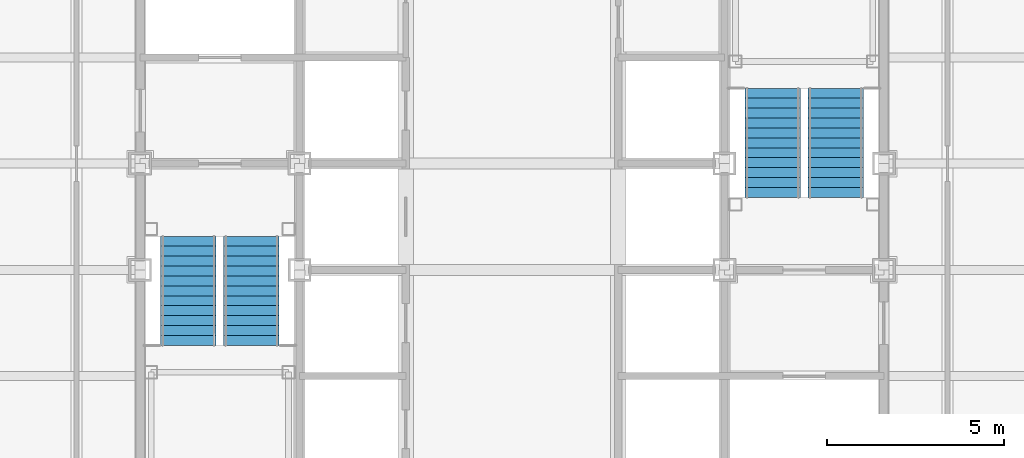
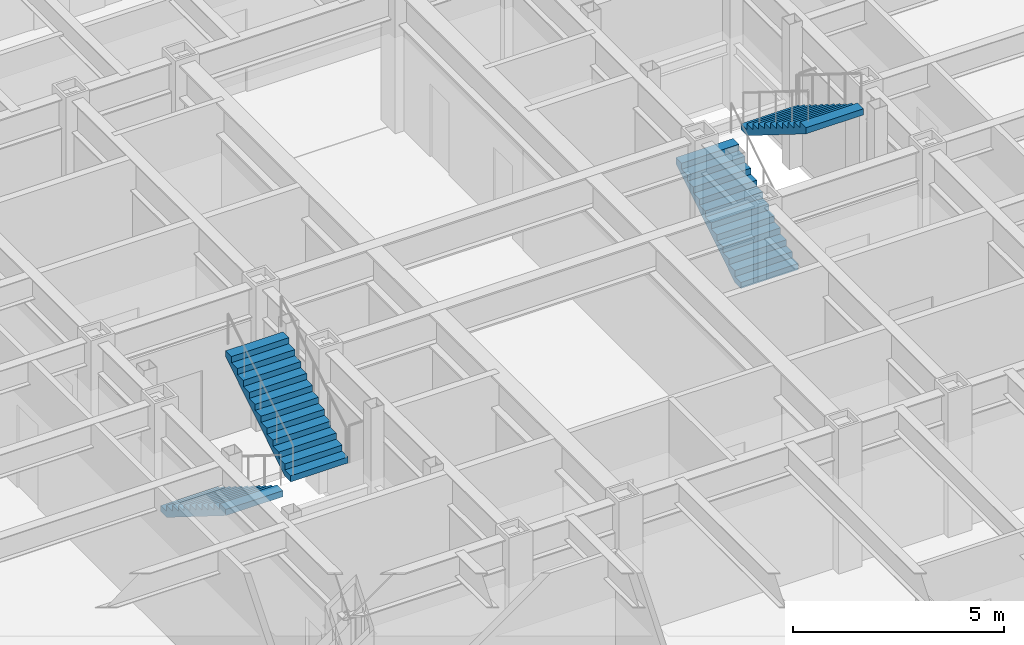
# One storey, part 13 of 17: 4 stair flights, 2 elements without a shape of their own.
"""IFC4 building model written with IfcOpenShell, lengths in metres."""

from ifc_helpers import new_model, si_unit, direction, frame, origin, place, context, subcontext, project, spatial, faceted_brep, material, type_object, element, aggregate, save


model = new_model("IFC4")

# Units and contexts
model_context = context("Model", 3, precision=1e-05, world=origin(), true_north=direction((0.0, 1.0)))
body_context = subcontext(model_context, "Body", "Model", "MODEL_VIEW")
ifc_project = project(units=[si_unit("LENGTHUNIT", "METRE"), si_unit("AREAUNIT", "SQUARE_METRE"), si_unit("VOLUMEUNIT", "CUBIC_METRE"), si_unit("PLANEANGLEUNIT", "RADIAN"), si_unit("MASSUNIT", "GRAM", prefix="KILO")], contexts=[model_context])

# Site, building, storey
site_placement = place(None, origin())
site = spatial("IfcSite", under=ifc_project, at=site_placement, CompositionType="ELEMENT")
building_placement = place(site_placement, origin())
building = spatial("IfcBuilding", under=site, at=building_placement, Name="Chuquiago Exchange Tower", CompositionType="ELEMENT")
storey_placement = place(building_placement, frame((0.0, 0.0, 165.60009765625)))
storey = spatial("IfcBuildingStorey", under=building, at=storey_placement, Name="L36", CompositionType="ELEMENT", Elevation=165.60009765625)

# Stair, stair flights
ifc_material_1 = material(Name="Concrete C30/37, precast", Category="concrete")
stair_type_1 = type_object("IfcStairType", Name="ST1 half-turn stair 4200", PredefinedType="HALF_TURN_STAIR", material=ifc_material_1)
stair_1_placement = place(storey_placement, origin())
stair_1 = element("IfcStair", 1, at=stair_1_placement, inside=storey, type_object=stair_type_1, Name="Stair ST1 L36", PredefinedType="HALF_TURN_STAIR")
ifc_material_2 = material(Name="Concrete C30/37, precast", Category="concrete")
stair_flight_type = type_object("IfcStairFlightType", Name="ST-F flight 1570 for 4200 storey", PredefinedType="STRAIGHT", material=ifc_material_2)
stair_flight_1_placement = place(storey_placement, frame((13.360107421875, 21.949951171875, 0.0), z_axis=(0.0, 0.0, 1.0), x_axis=(0.0, -1.0, 0.0)))
stair_flight_1 = element("IfcStairFlight", 2, at=stair_flight_1_placement, type_object=stair_flight_type, Name="ST1 flight 1", NumberOfRisers=12, NumberOfTreads=11, PredefinedType="STRAIGHT", RiserHeight=0.175, TreadLength=0.28, context=body_context, shape_type="Brep", body=[
    faceted_brep([(0.0, 0.78515625, 0.0), (0.0, 0.78515625, 0.175048828125), (0.280029296875, 0.78515625, 0.175048828125), (0.280029296875, 0.78515625, 0.35009765625), (0.56005859375, 0.78515625, 0.35009765625), (0.56005859375, 0.78515625, 0.52490234375), (0.840087890625, 0.78515625, 0.52490234375), (0.840087890625, 0.78515625, 0.699951171875), (1.1201171875, 0.78515625, 0.699951171875), (1.1201171875, 0.78515625, 0.875), (1.39990234375, 0.78515625, 0.875), (1.39990234375, 0.78515625, 1.050048828125), (1.679931640625, 0.78515625, 1.050048828125), (1.679931640625, 0.78515625, 1.22509765625), (1.9599609375, 0.78515625, 1.22509765625), (1.9599609375, 0.78515625, 1.39990234375), (2.239990234375, 0.78515625, 1.39990234375), (2.239990234375, 0.78515625, 1.574951171875), (2.52001953125, 0.78515625, 1.574951171875), (2.52001953125, 0.78515625, 1.75), (2.800048828125, 0.78515625, 1.75), (2.800048828125, 0.78515625, 1.925048828125), (3.080078125, 0.78515625, 1.925048828125), (3.080078125, 0.78515625, 1.748291015625), (0.28271484375, 0.78515625, 0.0), (0.28271484375, -0.78515625, 0.0), (3.080078125, -0.78515625, 1.748291015625), (3.080078125, -0.78515625, 1.925048828125), (2.800048828125, -0.78515625, 1.925048828125), (2.800048828125, -0.78515625, 1.75), (2.52001953125, -0.78515625, 1.75), (2.52001953125, -0.78515625, 1.574951171875), (2.239990234375, -0.78515625, 1.574951171875), (2.239990234375, -0.78515625, 1.39990234375), (1.9599609375, -0.78515625, 1.39990234375), (1.9599609375, -0.78515625, 1.22509765625), (1.679931640625, -0.78515625, 1.22509765625), (1.679931640625, -0.78515625, 1.050048828125), (1.39990234375, -0.78515625, 1.050048828125), (1.39990234375, -0.78515625, 0.875), (1.1201171875, -0.78515625, 0.875), (1.1201171875, -0.78515625, 0.699951171875), (0.840087890625, -0.78515625, 0.699951171875), (0.840087890625, -0.78515625, 0.52490234375), (0.56005859375, -0.78515625, 0.52490234375), (0.56005859375, -0.78515625, 0.35009765625), (0.280029296875, -0.78515625, 0.35009765625), (0.280029296875, -0.78515625, 0.175048828125), (0.0, -0.78515625, 0.175048828125), (0.0, -0.78515625, 0.0), (0.0, 0.392578125, 0.0), (0.0, 0.392578125, 0.175048828125), (0.0, 0.0, 0.0), (0.0, 0.0, 0.175048828125), (0.0, -0.392578125, 0.0), (0.0, -0.392578125, 0.175048828125), (0.280029296875, 0.392578125, 0.175048828125), (0.280029296875, 0.0, 0.175048828125), (0.280029296875, -0.392578125, 0.175048828125), (0.280029296875, 0.392578125, 0.35009765625), (0.280029296875, 0.0, 0.35009765625), (0.280029296875, -0.392578125, 0.35009765625), (0.56005859375, 0.392578125, 0.35009765625), (0.56005859375, 0.0, 0.35009765625), (0.56005859375, -0.392578125, 0.35009765625), (0.56005859375, 0.392578125, 0.52490234375), (0.56005859375, 0.0, 0.52490234375), (0.56005859375, -0.392578125, 0.52490234375), (0.840087890625, 0.392578125, 0.52490234375), (0.840087890625, 0.0, 0.52490234375), (0.840087890625, -0.392578125, 0.52490234375), (0.840087890625, 0.392578125, 0.699951171875), (0.840087890625, 0.0, 0.699951171875), (0.840087890625, -0.392578125, 0.699951171875), (1.1201171875, 0.392578125, 0.699951171875), (1.1201171875, 0.0, 0.699951171875), (1.1201171875, -0.392578125, 0.699951171875), (1.1201171875, 0.392578125, 0.875), (1.1201171875, 0.0, 0.875), (1.1201171875, -0.392578125, 0.875), (1.39990234375, 0.392578125, 0.875), (1.39990234375, 0.0, 0.875), (1.39990234375, -0.392578125, 0.875), (1.39990234375, 0.392578125, 1.050048828125), (1.39990234375, 0.0, 1.050048828125), (1.39990234375, -0.392578125, 1.050048828125), (1.679931640625, 0.392578125, 1.050048828125), (1.679931640625, 0.0, 1.050048828125), (1.679931640625, -0.392578125, 1.050048828125), (1.679931640625, 0.392578125, 1.22509765625), (1.679931640625, 0.0, 1.22509765625), (1.679931640625, -0.392578125, 1.22509765625), (1.9599609375, 0.392578125, 1.22509765625), (1.9599609375, 0.0, 1.22509765625), (1.9599609375, -0.392578125, 1.22509765625), (1.9599609375, 0.392578125, 1.39990234375), (1.9599609375, 0.0, 1.39990234375), (1.9599609375, -0.392578125, 1.39990234375), (2.239990234375, 0.392578125, 1.39990234375), (2.239990234375, 0.0, 1.39990234375), (2.239990234375, -0.392578125, 1.39990234375), (2.239990234375, 0.392578125, 1.574951171875), (2.239990234375, 0.0, 1.574951171875), (2.239990234375, -0.392578125, 1.574951171875), (2.52001953125, 0.392578125, 1.574951171875), (2.52001953125, 0.0, 1.574951171875), (2.52001953125, -0.392578125, 1.574951171875), (2.52001953125, 0.392578125, 1.75), (2.52001953125, 0.0, 1.75), (2.52001953125, -0.392578125, 1.75), (2.800048828125, 0.392578125, 1.75), (2.800048828125, 0.0, 1.75), (2.800048828125, -0.392578125, 1.75), (2.800048828125, 0.392578125, 1.925048828125), (2.800048828125, 0.0, 1.925048828125), (2.800048828125, -0.392578125, 1.925048828125), (3.080078125, 0.392578125, 1.925048828125), (3.080078125, 0.0, 1.925048828125), (3.080078125, -0.392578125, 1.925048828125), (3.080078125, 0.392578125, 1.748291015625), (3.080078125, 0.0, 1.748291015625), (3.080078125, -0.392578125, 1.748291015625), (0.28271484375, 0.392578125, 0.0), (0.28271484375, 0.0, 0.0), (0.28271484375, -0.392578125, 0.0)], [[[0, 1, 2, 3, 4, 5, 6, 7, 8, 9, 10, 11, 12, 13, 14, 15, 16, 17, 18, 19, 20, 21, 22, 23, 24]], [[25, 26, 27, 28, 29, 30, 31, 32, 33, 34, 35, 36, 37, 38, 39, 40, 41, 42, 43, 44, 45, 46, 47, 48, 49]], [[1, 0, 50, 51]], [[51, 50, 52, 53]], [[53, 52, 54, 55]], [[55, 54, 49, 48]], [[2, 1, 51, 56]], [[56, 51, 53, 57]], [[57, 53, 55, 58]], [[58, 55, 48, 47]], [[3, 2, 56, 59]], [[59, 56, 57, 60]], [[60, 57, 58, 61]], [[61, 58, 47, 46]], [[4, 3, 59, 62]], [[62, 59, 60, 63]], [[63, 60, 61, 64]], [[64, 61, 46, 45]], [[5, 4, 62, 65]], [[65, 62, 63, 66]], [[66, 63, 64, 67]], [[67, 64, 45, 44]], [[6, 5, 65, 68]], [[68, 65, 66, 69]], [[69, 66, 67, 70]], [[70, 67, 44, 43]], [[7, 6, 68, 71]], [[71, 68, 69, 72]], [[72, 69, 70, 73]], [[73, 70, 43, 42]], [[8, 7, 71, 74]], [[74, 71, 72, 75]], [[75, 72, 73, 76]], [[76, 73, 42, 41]], [[9, 8, 74, 77]], [[77, 74, 75, 78]], [[78, 75, 76, 79]], [[79, 76, 41, 40]], [[10, 9, 77, 80]], [[80, 77, 78, 81]], [[81, 78, 79, 82]], [[82, 79, 40, 39]], [[11, 10, 80, 83]], [[83, 80, 81, 84]], [[84, 81, 82, 85]], [[85, 82, 39, 38]], [[12, 11, 83, 86]], [[86, 83, 84, 87]], [[87, 84, 85, 88]], [[88, 85, 38, 37]], [[13, 12, 86, 89]], [[89, 86, 87, 90]], [[90, 87, 88, 91]], [[91, 88, 37, 36]], [[14, 13, 89, 92]], [[92, 89, 90, 93]], [[93, 90, 91, 94]], [[94, 91, 36, 35]], [[15, 14, 92, 95]], [[95, 92, 93, 96]], [[96, 93, 94, 97]], [[97, 94, 35, 34]], [[16, 15, 95, 98]], [[98, 95, 96, 99]], [[99, 96, 97, 100]], [[100, 97, 34, 33]], [[17, 16, 98, 101]], [[101, 98, 99, 102]], [[102, 99, 100, 103]], [[103, 100, 33, 32]], [[18, 17, 101, 104]], [[104, 101, 102, 105]], [[105, 102, 103, 106]], [[106, 103, 32, 31]], [[19, 18, 104, 107]], [[107, 104, 105, 108]], [[108, 105, 106, 109]], [[109, 106, 31, 30]], [[20, 19, 107, 110]], [[110, 107, 108, 111]], [[111, 108, 109, 112]], [[112, 109, 30, 29]], [[21, 20, 110, 113]], [[113, 110, 111, 114]], [[114, 111, 112, 115]], [[115, 112, 29, 28]], [[22, 21, 113, 116]], [[116, 113, 114, 117]], [[117, 114, 115, 118]], [[118, 115, 28, 27]], [[23, 22, 116, 119]], [[119, 116, 117, 120]], [[120, 117, 118, 121]], [[121, 118, 27, 26]], [[24, 23, 119, 122]], [[122, 119, 120, 123]], [[123, 120, 121, 124]], [[124, 121, 26, 25]], [[0, 24, 122, 50]], [[50, 122, 123, 52]], [[52, 123, 124, 54]], [[54, 124, 25, 49]]]),
])
stair_flight_2_placement = place(storey_placement, frame((15.139892578125, 18.8701171875, 2.099853515625), z_axis=(0.0, 0.0, 1.0), x_axis=(0.0, 1.0, 0.0)))
stair_flight_2 = element("IfcStairFlight", 3, at=stair_flight_2_placement, type_object=stair_flight_type, Name="ST1 flight 2", NumberOfRisers=12, NumberOfTreads=11, PredefinedType="STRAIGHT", RiserHeight=0.175, TreadLength=0.28, context=body_context, shape_type="Brep", body=[
    faceted_brep([(0.0, 0.78515625, 0.0), (0.0, 0.78515625, 0.175048828125), (0.280029296875, 0.78515625, 0.175048828125), (0.280029296875, 0.78515625, 0.35009765625), (0.56005859375, 0.78515625, 0.35009765625), (0.56005859375, 0.78515625, 0.52490234375), (0.840087890625, 0.78515625, 0.52490234375), (0.840087890625, 0.78515625, 0.699951171875), (1.1201171875, 0.78515625, 0.699951171875), (1.1201171875, 0.78515625, 0.875), (1.39990234375, 0.78515625, 0.875), (1.39990234375, 0.78515625, 1.050048828125), (1.679931640625, 0.78515625, 1.050048828125), (1.679931640625, 0.78515625, 1.22509765625), (1.9599609375, 0.78515625, 1.22509765625), (1.9599609375, 0.78515625, 1.39990234375), (2.239990234375, 0.78515625, 1.39990234375), (2.239990234375, 0.78515625, 1.574951171875), (2.52001953125, 0.78515625, 1.574951171875), (2.52001953125, 0.78515625, 1.75), (2.800048828125, 0.78515625, 1.75), (2.800048828125, 0.78515625, 1.925048828125), (3.080078125, 0.78515625, 1.925048828125), (3.080078125, 0.78515625, 1.748291015625), (0.28271484375, 0.78515625, 0.0), (0.28271484375, -0.78515625, 0.0), (3.080078125, -0.78515625, 1.748291015625), (3.080078125, -0.78515625, 1.925048828125), (2.800048828125, -0.78515625, 1.925048828125), (2.800048828125, -0.78515625, 1.75), (2.52001953125, -0.78515625, 1.75), (2.52001953125, -0.78515625, 1.574951171875), (2.239990234375, -0.78515625, 1.574951171875), (2.239990234375, -0.78515625, 1.39990234375), (1.9599609375, -0.78515625, 1.39990234375), (1.9599609375, -0.78515625, 1.22509765625), (1.679931640625, -0.78515625, 1.22509765625), (1.679931640625, -0.78515625, 1.050048828125), (1.39990234375, -0.78515625, 1.050048828125), (1.39990234375, -0.78515625, 0.875), (1.1201171875, -0.78515625, 0.875), (1.1201171875, -0.78515625, 0.699951171875), (0.840087890625, -0.78515625, 0.699951171875), (0.840087890625, -0.78515625, 0.52490234375), (0.56005859375, -0.78515625, 0.52490234375), (0.56005859375, -0.78515625, 0.35009765625), (0.280029296875, -0.78515625, 0.35009765625), (0.280029296875, -0.78515625, 0.175048828125), (0.0, -0.78515625, 0.175048828125), (0.0, -0.78515625, 0.0), (0.0, 0.392578125, 0.0), (0.0, 0.392578125, 0.175048828125), (0.0, 0.0, 0.0), (0.0, 0.0, 0.175048828125), (0.0, -0.392578125, 0.0), (0.0, -0.392578125, 0.175048828125), (0.280029296875, 0.392578125, 0.175048828125), (0.280029296875, 0.0, 0.175048828125), (0.280029296875, -0.392578125, 0.175048828125), (0.280029296875, 0.392578125, 0.35009765625), (0.280029296875, 0.0, 0.35009765625), (0.280029296875, -0.392578125, 0.35009765625), (0.56005859375, 0.392578125, 0.35009765625), (0.56005859375, 0.0, 0.35009765625), (0.56005859375, -0.392578125, 0.35009765625), (0.56005859375, 0.392578125, 0.52490234375), (0.56005859375, 0.0, 0.52490234375), (0.56005859375, -0.392578125, 0.52490234375), (0.840087890625, 0.392578125, 0.52490234375), (0.840087890625, 0.0, 0.52490234375), (0.840087890625, -0.392578125, 0.52490234375), (0.840087890625, 0.392578125, 0.699951171875), (0.840087890625, 0.0, 0.699951171875), (0.840087890625, -0.392578125, 0.699951171875), (1.1201171875, 0.392578125, 0.699951171875), (1.1201171875, 0.0, 0.699951171875), (1.1201171875, -0.392578125, 0.699951171875), (1.1201171875, 0.392578125, 0.875), (1.1201171875, 0.0, 0.875), (1.1201171875, -0.392578125, 0.875), (1.39990234375, 0.392578125, 0.875), (1.39990234375, 0.0, 0.875), (1.39990234375, -0.392578125, 0.875), (1.39990234375, 0.392578125, 1.050048828125), (1.39990234375, 0.0, 1.050048828125), (1.39990234375, -0.392578125, 1.050048828125), (1.679931640625, 0.392578125, 1.050048828125), (1.679931640625, 0.0, 1.050048828125), (1.679931640625, -0.392578125, 1.050048828125), (1.679931640625, 0.392578125, 1.22509765625), (1.679931640625, 0.0, 1.22509765625), (1.679931640625, -0.392578125, 1.22509765625), (1.9599609375, 0.392578125, 1.22509765625), (1.9599609375, 0.0, 1.22509765625), (1.9599609375, -0.392578125, 1.22509765625), (1.9599609375, 0.392578125, 1.39990234375), (1.9599609375, 0.0, 1.39990234375), (1.9599609375, -0.392578125, 1.39990234375), (2.239990234375, 0.392578125, 1.39990234375), (2.239990234375, 0.0, 1.39990234375), (2.239990234375, -0.392578125, 1.39990234375), (2.239990234375, 0.392578125, 1.574951171875), (2.239990234375, 0.0, 1.574951171875), (2.239990234375, -0.392578125, 1.574951171875), (2.52001953125, 0.392578125, 1.574951171875), (2.52001953125, 0.0, 1.574951171875), (2.52001953125, -0.392578125, 1.574951171875), (2.52001953125, 0.392578125, 1.75), (2.52001953125, 0.0, 1.75), (2.52001953125, -0.392578125, 1.75), (2.800048828125, 0.392578125, 1.75), (2.800048828125, 0.0, 1.75), (2.800048828125, -0.392578125, 1.75), (2.800048828125, 0.392578125, 1.925048828125), (2.800048828125, 0.0, 1.925048828125), (2.800048828125, -0.392578125, 1.925048828125), (3.080078125, 0.392578125, 1.925048828125), (3.080078125, 0.0, 1.925048828125), (3.080078125, -0.392578125, 1.925048828125), (3.080078125, 0.392578125, 1.748291015625), (3.080078125, 0.0, 1.748291015625), (3.080078125, -0.392578125, 1.748291015625), (0.28271484375, 0.392578125, 0.0), (0.28271484375, 0.0, 0.0), (0.28271484375, -0.392578125, 0.0)], [[[0, 1, 2, 3, 4, 5, 6, 7, 8, 9, 10, 11, 12, 13, 14, 15, 16, 17, 18, 19, 20, 21, 22, 23, 24]], [[25, 26, 27, 28, 29, 30, 31, 32, 33, 34, 35, 36, 37, 38, 39, 40, 41, 42, 43, 44, 45, 46, 47, 48, 49]], [[1, 0, 50, 51]], [[51, 50, 52, 53]], [[53, 52, 54, 55]], [[55, 54, 49, 48]], [[2, 1, 51, 56]], [[56, 51, 53, 57]], [[57, 53, 55, 58]], [[58, 55, 48, 47]], [[3, 2, 56, 59]], [[59, 56, 57, 60]], [[60, 57, 58, 61]], [[61, 58, 47, 46]], [[4, 3, 59, 62]], [[62, 59, 60, 63]], [[63, 60, 61, 64]], [[64, 61, 46, 45]], [[5, 4, 62, 65]], [[65, 62, 63, 66]], [[66, 63, 64, 67]], [[67, 64, 45, 44]], [[6, 5, 65, 68]], [[68, 65, 66, 69]], [[69, 66, 67, 70]], [[70, 67, 44, 43]], [[7, 6, 68, 71]], [[71, 68, 69, 72]], [[72, 69, 70, 73]], [[73, 70, 43, 42]], [[8, 7, 71, 74]], [[74, 71, 72, 75]], [[75, 72, 73, 76]], [[76, 73, 42, 41]], [[9, 8, 74, 77]], [[77, 74, 75, 78]], [[78, 75, 76, 79]], [[79, 76, 41, 40]], [[10, 9, 77, 80]], [[80, 77, 78, 81]], [[81, 78, 79, 82]], [[82, 79, 40, 39]], [[11, 10, 80, 83]], [[83, 80, 81, 84]], [[84, 81, 82, 85]], [[85, 82, 39, 38]], [[12, 11, 83, 86]], [[86, 83, 84, 87]], [[87, 84, 85, 88]], [[88, 85, 38, 37]], [[13, 12, 86, 89]], [[89, 86, 87, 90]], [[90, 87, 88, 91]], [[91, 88, 37, 36]], [[14, 13, 89, 92]], [[92, 89, 90, 93]], [[93, 90, 91, 94]], [[94, 91, 36, 35]], [[15, 14, 92, 95]], [[95, 92, 93, 96]], [[96, 93, 94, 97]], [[97, 94, 35, 34]], [[16, 15, 95, 98]], [[98, 95, 96, 99]], [[99, 96, 97, 100]], [[100, 97, 34, 33]], [[17, 16, 98, 101]], [[101, 98, 99, 102]], [[102, 99, 100, 103]], [[103, 100, 33, 32]], [[18, 17, 101, 104]], [[104, 101, 102, 105]], [[105, 102, 103, 106]], [[106, 103, 32, 31]], [[19, 18, 104, 107]], [[107, 104, 105, 108]], [[108, 105, 106, 109]], [[109, 106, 31, 30]], [[20, 19, 107, 110]], [[110, 107, 108, 111]], [[111, 108, 109, 112]], [[112, 109, 30, 29]], [[21, 20, 110, 113]], [[113, 110, 111, 114]], [[114, 111, 112, 115]], [[115, 112, 29, 28]], [[22, 21, 113, 116]], [[116, 113, 114, 117]], [[117, 114, 115, 118]], [[118, 115, 28, 27]], [[23, 22, 116, 119]], [[119, 116, 117, 120]], [[120, 117, 118, 121]], [[121, 118, 27, 26]], [[24, 23, 119, 122]], [[122, 119, 120, 123]], [[123, 120, 121, 124]], [[124, 121, 26, 25]], [[0, 24, 122, 50]], [[50, 122, 123, 52]], [[52, 123, 124, 54]], [[54, 124, 25, 49]]]),
])
aggregate(stair_1, [stair_flight_1, stair_flight_2])

ifc_material_3 = material(Name="Concrete C30/37, precast", Category="concrete")
stair_type_2 = type_object("IfcStairType", Name="ST2 half-turn stair 4200", PredefinedType="HALF_TURN_STAIR", material=ifc_material_3)
stair_2_placement = place(storey_placement, origin())
stair_2 = element("IfcStair", 4, at=stair_2_placement, inside=storey, type_object=stair_type_2, Name="Stair ST2 L36", PredefinedType="HALF_TURN_STAIR")
stair_flight_3_placement = place(storey_placement, frame((29.860107421875, 23.050048828125, 0.0), z_axis=(0.0, 0.0, 1.0), x_axis=(0.0, 1.0, 0.0)))
stair_flight_3 = element("IfcStairFlight", 5, at=stair_flight_3_placement, type_object=stair_flight_type, Name="ST2 flight 1", NumberOfRisers=12, NumberOfTreads=11, PredefinedType="STRAIGHT", RiserHeight=0.175, TreadLength=0.28, context=body_context, shape_type="Brep", body=[
    faceted_brep([(0.0, 0.78515625, 0.0), (0.0, 0.78515625, 0.175048828125), (0.280029296875, 0.78515625, 0.175048828125), (0.280029296875, 0.78515625, 0.35009765625), (0.56005859375, 0.78515625, 0.35009765625), (0.56005859375, 0.78515625, 0.52490234375), (0.840087890625, 0.78515625, 0.52490234375), (0.840087890625, 0.78515625, 0.699951171875), (1.1201171875, 0.78515625, 0.699951171875), (1.1201171875, 0.78515625, 0.875), (1.39990234375, 0.78515625, 0.875), (1.39990234375, 0.78515625, 1.050048828125), (1.679931640625, 0.78515625, 1.050048828125), (1.679931640625, 0.78515625, 1.22509765625), (1.9599609375, 0.78515625, 1.22509765625), (1.9599609375, 0.78515625, 1.39990234375), (2.239990234375, 0.78515625, 1.39990234375), (2.239990234375, 0.78515625, 1.574951171875), (2.52001953125, 0.78515625, 1.574951171875), (2.52001953125, 0.78515625, 1.75), (2.800048828125, 0.78515625, 1.75), (2.800048828125, 0.78515625, 1.925048828125), (3.080078125, 0.78515625, 1.925048828125), (3.080078125, 0.78515625, 1.748291015625), (0.28271484375, 0.78515625, 0.0), (0.28271484375, -0.78515625, 0.0), (3.080078125, -0.78515625, 1.748291015625), (3.080078125, -0.78515625, 1.925048828125), (2.800048828125, -0.78515625, 1.925048828125), (2.800048828125, -0.78515625, 1.75), (2.52001953125, -0.78515625, 1.75), (2.52001953125, -0.78515625, 1.574951171875), (2.239990234375, -0.78515625, 1.574951171875), (2.239990234375, -0.78515625, 1.39990234375), (1.9599609375, -0.78515625, 1.39990234375), (1.9599609375, -0.78515625, 1.22509765625), (1.679931640625, -0.78515625, 1.22509765625), (1.679931640625, -0.78515625, 1.050048828125), (1.39990234375, -0.78515625, 1.050048828125), (1.39990234375, -0.78515625, 0.875), (1.1201171875, -0.78515625, 0.875), (1.1201171875, -0.78515625, 0.699951171875), (0.840087890625, -0.78515625, 0.699951171875), (0.840087890625, -0.78515625, 0.52490234375), (0.56005859375, -0.78515625, 0.52490234375), (0.56005859375, -0.78515625, 0.35009765625), (0.280029296875, -0.78515625, 0.35009765625), (0.280029296875, -0.78515625, 0.175048828125), (0.0, -0.78515625, 0.175048828125), (0.0, -0.78515625, 0.0), (0.0, 0.392578125, 0.0), (0.0, 0.392578125, 0.175048828125), (0.0, 0.0, 0.0), (0.0, 0.0, 0.175048828125), (0.0, -0.392578125, 0.0), (0.0, -0.392578125, 0.175048828125), (0.280029296875, 0.392578125, 0.175048828125), (0.280029296875, 0.0, 0.175048828125), (0.280029296875, -0.392578125, 0.175048828125), (0.280029296875, 0.392578125, 0.35009765625), (0.280029296875, 0.0, 0.35009765625), (0.280029296875, -0.392578125, 0.35009765625), (0.56005859375, 0.392578125, 0.35009765625), (0.56005859375, 0.0, 0.35009765625), (0.56005859375, -0.392578125, 0.35009765625), (0.56005859375, 0.392578125, 0.52490234375), (0.56005859375, 0.0, 0.52490234375), (0.56005859375, -0.392578125, 0.52490234375), (0.840087890625, 0.392578125, 0.52490234375), (0.840087890625, 0.0, 0.52490234375), (0.840087890625, -0.392578125, 0.52490234375), (0.840087890625, 0.392578125, 0.699951171875), (0.840087890625, 0.0, 0.699951171875), (0.840087890625, -0.392578125, 0.699951171875), (1.1201171875, 0.392578125, 0.699951171875), (1.1201171875, 0.0, 0.699951171875), (1.1201171875, -0.392578125, 0.699951171875), (1.1201171875, 0.392578125, 0.875), (1.1201171875, 0.0, 0.875), (1.1201171875, -0.392578125, 0.875), (1.39990234375, 0.392578125, 0.875), (1.39990234375, 0.0, 0.875), (1.39990234375, -0.392578125, 0.875), (1.39990234375, 0.392578125, 1.050048828125), (1.39990234375, 0.0, 1.050048828125), (1.39990234375, -0.392578125, 1.050048828125), (1.679931640625, 0.392578125, 1.050048828125), (1.679931640625, 0.0, 1.050048828125), (1.679931640625, -0.392578125, 1.050048828125), (1.679931640625, 0.392578125, 1.22509765625), (1.679931640625, 0.0, 1.22509765625), (1.679931640625, -0.392578125, 1.22509765625), (1.9599609375, 0.392578125, 1.22509765625), (1.9599609375, 0.0, 1.22509765625), (1.9599609375, -0.392578125, 1.22509765625), (1.9599609375, 0.392578125, 1.39990234375), (1.9599609375, 0.0, 1.39990234375), (1.9599609375, -0.392578125, 1.39990234375), (2.239990234375, 0.392578125, 1.39990234375), (2.239990234375, 0.0, 1.39990234375), (2.239990234375, -0.392578125, 1.39990234375), (2.239990234375, 0.392578125, 1.574951171875), (2.239990234375, 0.0, 1.574951171875), (2.239990234375, -0.392578125, 1.574951171875), (2.52001953125, 0.392578125, 1.574951171875), (2.52001953125, 0.0, 1.574951171875), (2.52001953125, -0.392578125, 1.574951171875), (2.52001953125, 0.392578125, 1.75), (2.52001953125, 0.0, 1.75), (2.52001953125, -0.392578125, 1.75), (2.800048828125, 0.392578125, 1.75), (2.800048828125, 0.0, 1.75), (2.800048828125, -0.392578125, 1.75), (2.800048828125, 0.392578125, 1.925048828125), (2.800048828125, 0.0, 1.925048828125), (2.800048828125, -0.392578125, 1.925048828125), (3.080078125, 0.392578125, 1.925048828125), (3.080078125, 0.0, 1.925048828125), (3.080078125, -0.392578125, 1.925048828125), (3.080078125, 0.392578125, 1.748291015625), (3.080078125, 0.0, 1.748291015625), (3.080078125, -0.392578125, 1.748291015625), (0.28271484375, 0.392578125, 0.0), (0.28271484375, 0.0, 0.0), (0.28271484375, -0.392578125, 0.0)], [[[0, 1, 2, 3, 4, 5, 6, 7, 8, 9, 10, 11, 12, 13, 14, 15, 16, 17, 18, 19, 20, 21, 22, 23, 24]], [[25, 26, 27, 28, 29, 30, 31, 32, 33, 34, 35, 36, 37, 38, 39, 40, 41, 42, 43, 44, 45, 46, 47, 48, 49]], [[1, 0, 50, 51]], [[51, 50, 52, 53]], [[53, 52, 54, 55]], [[55, 54, 49, 48]], [[2, 1, 51, 56]], [[56, 51, 53, 57]], [[57, 53, 55, 58]], [[58, 55, 48, 47]], [[3, 2, 56, 59]], [[59, 56, 57, 60]], [[60, 57, 58, 61]], [[61, 58, 47, 46]], [[4, 3, 59, 62]], [[62, 59, 60, 63]], [[63, 60, 61, 64]], [[64, 61, 46, 45]], [[5, 4, 62, 65]], [[65, 62, 63, 66]], [[66, 63, 64, 67]], [[67, 64, 45, 44]], [[6, 5, 65, 68]], [[68, 65, 66, 69]], [[69, 66, 67, 70]], [[70, 67, 44, 43]], [[7, 6, 68, 71]], [[71, 68, 69, 72]], [[72, 69, 70, 73]], [[73, 70, 43, 42]], [[8, 7, 71, 74]], [[74, 71, 72, 75]], [[75, 72, 73, 76]], [[76, 73, 42, 41]], [[9, 8, 74, 77]], [[77, 74, 75, 78]], [[78, 75, 76, 79]], [[79, 76, 41, 40]], [[10, 9, 77, 80]], [[80, 77, 78, 81]], [[81, 78, 79, 82]], [[82, 79, 40, 39]], [[11, 10, 80, 83]], [[83, 80, 81, 84]], [[84, 81, 82, 85]], [[85, 82, 39, 38]], [[12, 11, 83, 86]], [[86, 83, 84, 87]], [[87, 84, 85, 88]], [[88, 85, 38, 37]], [[13, 12, 86, 89]], [[89, 86, 87, 90]], [[90, 87, 88, 91]], [[91, 88, 37, 36]], [[14, 13, 89, 92]], [[92, 89, 90, 93]], [[93, 90, 91, 94]], [[94, 91, 36, 35]], [[15, 14, 92, 95]], [[95, 92, 93, 96]], [[96, 93, 94, 97]], [[97, 94, 35, 34]], [[16, 15, 95, 98]], [[98, 95, 96, 99]], [[99, 96, 97, 100]], [[100, 97, 34, 33]], [[17, 16, 98, 101]], [[101, 98, 99, 102]], [[102, 99, 100, 103]], [[103, 100, 33, 32]], [[18, 17, 101, 104]], [[104, 101, 102, 105]], [[105, 102, 103, 106]], [[106, 103, 32, 31]], [[19, 18, 104, 107]], [[107, 104, 105, 108]], [[108, 105, 106, 109]], [[109, 106, 31, 30]], [[20, 19, 107, 110]], [[110, 107, 108, 111]], [[111, 108, 109, 112]], [[112, 109, 30, 29]], [[21, 20, 110, 113]], [[113, 110, 111, 114]], [[114, 111, 112, 115]], [[115, 112, 29, 28]], [[22, 21, 113, 116]], [[116, 113, 114, 117]], [[117, 114, 115, 118]], [[118, 115, 28, 27]], [[23, 22, 116, 119]], [[119, 116, 117, 120]], [[120, 117, 118, 121]], [[121, 118, 27, 26]], [[24, 23, 119, 122]], [[122, 119, 120, 123]], [[123, 120, 121, 124]], [[124, 121, 26, 25]], [[0, 24, 122, 50]], [[50, 122, 123, 52]], [[52, 123, 124, 54]], [[54, 124, 25, 49]]]),
])
stair_flight_4_placement = place(storey_placement, frame((31.639892578125, 26.1298828125, 2.099853515625), z_axis=(0.0, 0.0, 1.0), x_axis=(0.0, -1.0, 0.0)))
stair_flight_4 = element("IfcStairFlight", 6, at=stair_flight_4_placement, type_object=stair_flight_type, Name="ST2 flight 2", NumberOfRisers=12, NumberOfTreads=11, PredefinedType="STRAIGHT", RiserHeight=0.175, TreadLength=0.28, context=body_context, shape_type="Brep", body=[
    faceted_brep([(0.0, 0.78515625, 0.0), (0.0, 0.78515625, 0.175048828125), (0.280029296875, 0.78515625, 0.175048828125), (0.280029296875, 0.78515625, 0.35009765625), (0.56005859375, 0.78515625, 0.35009765625), (0.56005859375, 0.78515625, 0.52490234375), (0.840087890625, 0.78515625, 0.52490234375), (0.840087890625, 0.78515625, 0.699951171875), (1.1201171875, 0.78515625, 0.699951171875), (1.1201171875, 0.78515625, 0.875), (1.39990234375, 0.78515625, 0.875), (1.39990234375, 0.78515625, 1.050048828125), (1.679931640625, 0.78515625, 1.050048828125), (1.679931640625, 0.78515625, 1.22509765625), (1.9599609375, 0.78515625, 1.22509765625), (1.9599609375, 0.78515625, 1.39990234375), (2.239990234375, 0.78515625, 1.39990234375), (2.239990234375, 0.78515625, 1.574951171875), (2.52001953125, 0.78515625, 1.574951171875), (2.52001953125, 0.78515625, 1.75), (2.800048828125, 0.78515625, 1.75), (2.800048828125, 0.78515625, 1.925048828125), (3.080078125, 0.78515625, 1.925048828125), (3.080078125, 0.78515625, 1.748291015625), (0.28271484375, 0.78515625, 0.0), (0.28271484375, -0.78515625, 0.0), (3.080078125, -0.78515625, 1.748291015625), (3.080078125, -0.78515625, 1.925048828125), (2.800048828125, -0.78515625, 1.925048828125), (2.800048828125, -0.78515625, 1.75), (2.52001953125, -0.78515625, 1.75), (2.52001953125, -0.78515625, 1.574951171875), (2.239990234375, -0.78515625, 1.574951171875), (2.239990234375, -0.78515625, 1.39990234375), (1.9599609375, -0.78515625, 1.39990234375), (1.9599609375, -0.78515625, 1.22509765625), (1.679931640625, -0.78515625, 1.22509765625), (1.679931640625, -0.78515625, 1.050048828125), (1.39990234375, -0.78515625, 1.050048828125), (1.39990234375, -0.78515625, 0.875), (1.1201171875, -0.78515625, 0.875), (1.1201171875, -0.78515625, 0.699951171875), (0.840087890625, -0.78515625, 0.699951171875), (0.840087890625, -0.78515625, 0.52490234375), (0.56005859375, -0.78515625, 0.52490234375), (0.56005859375, -0.78515625, 0.35009765625), (0.280029296875, -0.78515625, 0.35009765625), (0.280029296875, -0.78515625, 0.175048828125), (0.0, -0.78515625, 0.175048828125), (0.0, -0.78515625, 0.0), (0.0, 0.392578125, 0.0), (0.0, 0.392578125, 0.175048828125), (0.0, 0.0, 0.0), (0.0, 0.0, 0.175048828125), (0.0, -0.392578125, 0.0), (0.0, -0.392578125, 0.175048828125), (0.280029296875, 0.392578125, 0.175048828125), (0.280029296875, 0.0, 0.175048828125), (0.280029296875, -0.392578125, 0.175048828125), (0.280029296875, 0.392578125, 0.35009765625), (0.280029296875, 0.0, 0.35009765625), (0.280029296875, -0.392578125, 0.35009765625), (0.56005859375, 0.392578125, 0.35009765625), (0.56005859375, 0.0, 0.35009765625), (0.56005859375, -0.392578125, 0.35009765625), (0.56005859375, 0.392578125, 0.52490234375), (0.56005859375, 0.0, 0.52490234375), (0.56005859375, -0.392578125, 0.52490234375), (0.840087890625, 0.392578125, 0.52490234375), (0.840087890625, 0.0, 0.52490234375), (0.840087890625, -0.392578125, 0.52490234375), (0.840087890625, 0.392578125, 0.699951171875), (0.840087890625, 0.0, 0.699951171875), (0.840087890625, -0.392578125, 0.699951171875), (1.1201171875, 0.392578125, 0.699951171875), (1.1201171875, 0.0, 0.699951171875), (1.1201171875, -0.392578125, 0.699951171875), (1.1201171875, 0.392578125, 0.875), (1.1201171875, 0.0, 0.875), (1.1201171875, -0.392578125, 0.875), (1.39990234375, 0.392578125, 0.875), (1.39990234375, 0.0, 0.875), (1.39990234375, -0.392578125, 0.875), (1.39990234375, 0.392578125, 1.050048828125), (1.39990234375, 0.0, 1.050048828125), (1.39990234375, -0.392578125, 1.050048828125), (1.679931640625, 0.392578125, 1.050048828125), (1.679931640625, 0.0, 1.050048828125), (1.679931640625, -0.392578125, 1.050048828125), (1.679931640625, 0.392578125, 1.22509765625), (1.679931640625, 0.0, 1.22509765625), (1.679931640625, -0.392578125, 1.22509765625), (1.9599609375, 0.392578125, 1.22509765625), (1.9599609375, 0.0, 1.22509765625), (1.9599609375, -0.392578125, 1.22509765625), (1.9599609375, 0.392578125, 1.39990234375), (1.9599609375, 0.0, 1.39990234375), (1.9599609375, -0.392578125, 1.39990234375), (2.239990234375, 0.392578125, 1.39990234375), (2.239990234375, 0.0, 1.39990234375), (2.239990234375, -0.392578125, 1.39990234375), (2.239990234375, 0.392578125, 1.574951171875), (2.239990234375, 0.0, 1.574951171875), (2.239990234375, -0.392578125, 1.574951171875), (2.52001953125, 0.392578125, 1.574951171875), (2.52001953125, 0.0, 1.574951171875), (2.52001953125, -0.392578125, 1.574951171875), (2.52001953125, 0.392578125, 1.75), (2.52001953125, 0.0, 1.75), (2.52001953125, -0.392578125, 1.75), (2.800048828125, 0.392578125, 1.75), (2.800048828125, 0.0, 1.75), (2.800048828125, -0.392578125, 1.75), (2.800048828125, 0.392578125, 1.925048828125), (2.800048828125, 0.0, 1.925048828125), (2.800048828125, -0.392578125, 1.925048828125), (3.080078125, 0.392578125, 1.925048828125), (3.080078125, 0.0, 1.925048828125), (3.080078125, -0.392578125, 1.925048828125), (3.080078125, 0.392578125, 1.748291015625), (3.080078125, 0.0, 1.748291015625), (3.080078125, -0.392578125, 1.748291015625), (0.28271484375, 0.392578125, 0.0), (0.28271484375, 0.0, 0.0), (0.28271484375, -0.392578125, 0.0)], [[[0, 1, 2, 3, 4, 5, 6, 7, 8, 9, 10, 11, 12, 13, 14, 15, 16, 17, 18, 19, 20, 21, 22, 23, 24]], [[25, 26, 27, 28, 29, 30, 31, 32, 33, 34, 35, 36, 37, 38, 39, 40, 41, 42, 43, 44, 45, 46, 47, 48, 49]], [[1, 0, 50, 51]], [[51, 50, 52, 53]], [[53, 52, 54, 55]], [[55, 54, 49, 48]], [[2, 1, 51, 56]], [[56, 51, 53, 57]], [[57, 53, 55, 58]], [[58, 55, 48, 47]], [[3, 2, 56, 59]], [[59, 56, 57, 60]], [[60, 57, 58, 61]], [[61, 58, 47, 46]], [[4, 3, 59, 62]], [[62, 59, 60, 63]], [[63, 60, 61, 64]], [[64, 61, 46, 45]], [[5, 4, 62, 65]], [[65, 62, 63, 66]], [[66, 63, 64, 67]], [[67, 64, 45, 44]], [[6, 5, 65, 68]], [[68, 65, 66, 69]], [[69, 66, 67, 70]], [[70, 67, 44, 43]], [[7, 6, 68, 71]], [[71, 68, 69, 72]], [[72, 69, 70, 73]], [[73, 70, 43, 42]], [[8, 7, 71, 74]], [[74, 71, 72, 75]], [[75, 72, 73, 76]], [[76, 73, 42, 41]], [[9, 8, 74, 77]], [[77, 74, 75, 78]], [[78, 75, 76, 79]], [[79, 76, 41, 40]], [[10, 9, 77, 80]], [[80, 77, 78, 81]], [[81, 78, 79, 82]], [[82, 79, 40, 39]], [[11, 10, 80, 83]], [[83, 80, 81, 84]], [[84, 81, 82, 85]], [[85, 82, 39, 38]], [[12, 11, 83, 86]], [[86, 83, 84, 87]], [[87, 84, 85, 88]], [[88, 85, 38, 37]], [[13, 12, 86, 89]], [[89, 86, 87, 90]], [[90, 87, 88, 91]], [[91, 88, 37, 36]], [[14, 13, 89, 92]], [[92, 89, 90, 93]], [[93, 90, 91, 94]], [[94, 91, 36, 35]], [[15, 14, 92, 95]], [[95, 92, 93, 96]], [[96, 93, 94, 97]], [[97, 94, 35, 34]], [[16, 15, 95, 98]], [[98, 95, 96, 99]], [[99, 96, 97, 100]], [[100, 97, 34, 33]], [[17, 16, 98, 101]], [[101, 98, 99, 102]], [[102, 99, 100, 103]], [[103, 100, 33, 32]], [[18, 17, 101, 104]], [[104, 101, 102, 105]], [[105, 102, 103, 106]], [[106, 103, 32, 31]], [[19, 18, 104, 107]], [[107, 104, 105, 108]], [[108, 105, 106, 109]], [[109, 106, 31, 30]], [[20, 19, 107, 110]], [[110, 107, 108, 111]], [[111, 108, 109, 112]], [[112, 109, 30, 29]], [[21, 20, 110, 113]], [[113, 110, 111, 114]], [[114, 111, 112, 115]], [[115, 112, 29, 28]], [[22, 21, 113, 116]], [[116, 113, 114, 117]], [[117, 114, 115, 118]], [[118, 115, 28, 27]], [[23, 22, 116, 119]], [[119, 116, 117, 120]], [[120, 117, 118, 121]], [[121, 118, 27, 26]], [[24, 23, 119, 122]], [[122, 119, 120, 123]], [[123, 120, 121, 124]], [[124, 121, 26, 25]], [[0, 24, 122, 50]], [[50, 122, 123, 52]], [[52, 123, 124, 54]], [[54, 124, 25, 49]]]),
])
aggregate(stair_2, [stair_flight_3, stair_flight_4])

save(model, "model.ifc")
